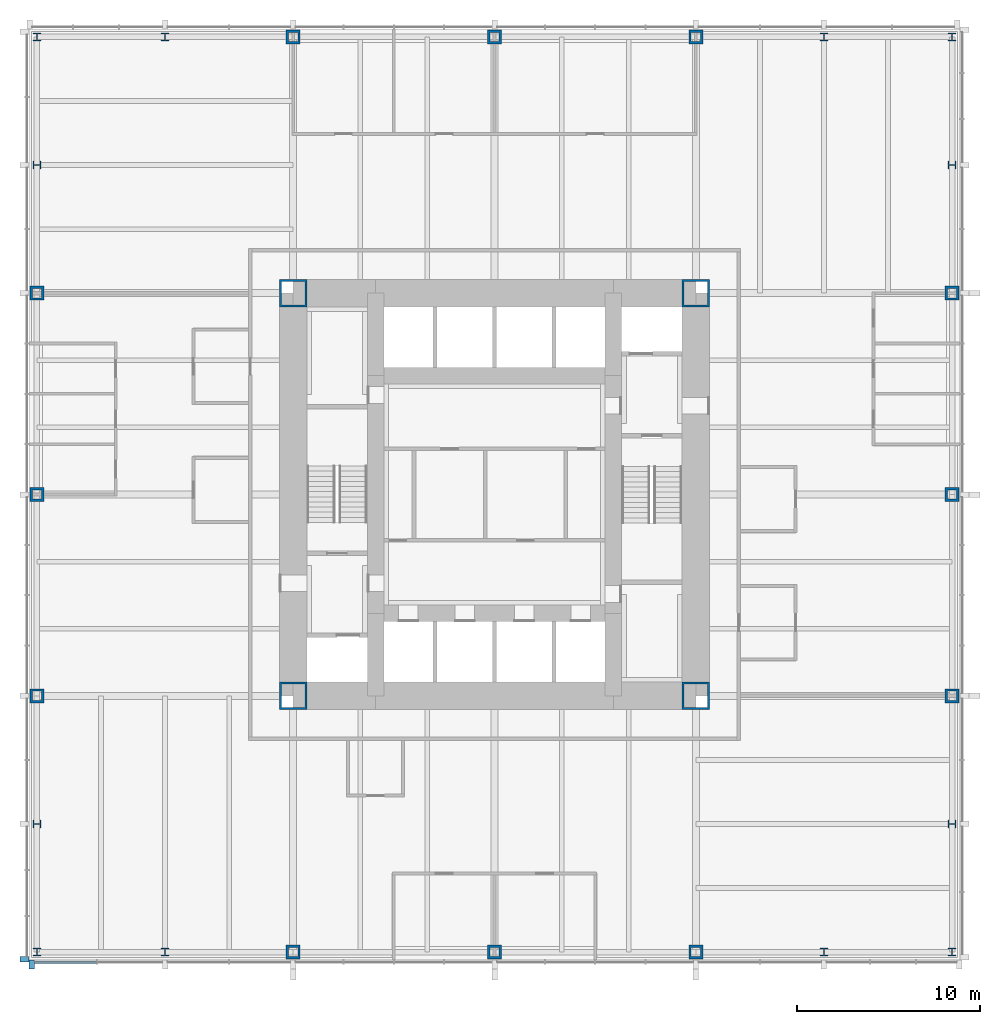
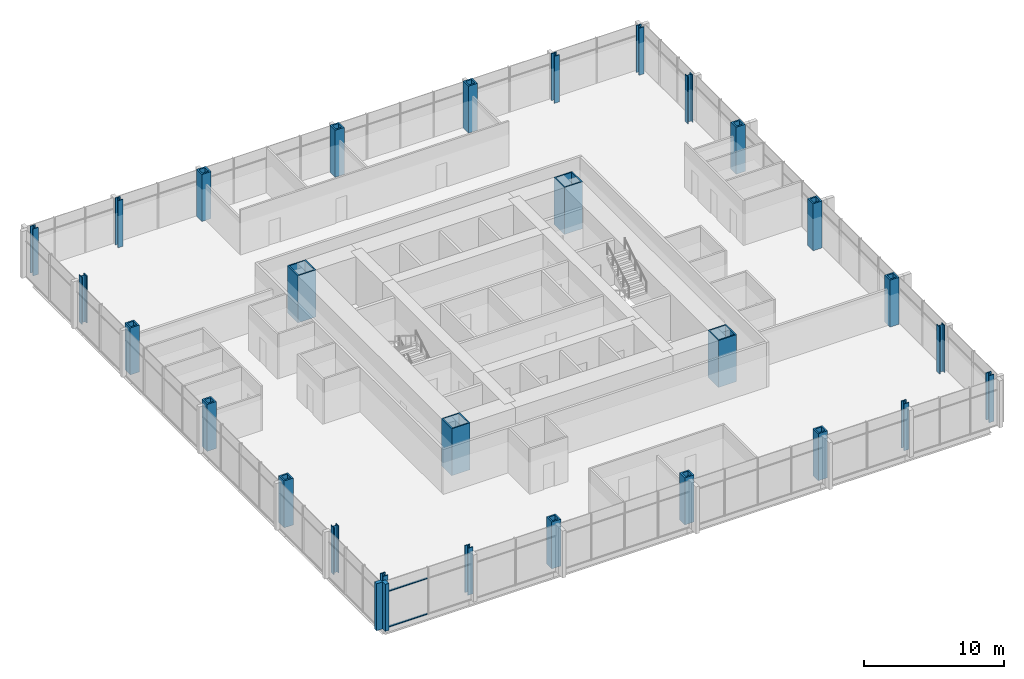
# One storey, part 1 of 12: 28 columns, 4 members, 2 elements without a shape of their own.
"""IFC4 building model written with IfcOpenShell, lengths in metres."""

from ifc_helpers import new_model, si_unit, direction, frame, origin, origin_2d, place, context, subcontext, project, spatial, rectangle, hollow_rectangle, i_section, extrude, material, material_profile, profile_set, type_object, element, aggregate, save


model = new_model("IFC4")

# Units and contexts
model_context = context("Model", 3, precision=1e-05, world=origin(), true_north=direction((0.0, 1.0)))
body_context = subcontext(model_context, "Body", "Model", "MODEL_VIEW")
ifc_project = project(units=[si_unit("LENGTHUNIT", "METRE"), si_unit("AREAUNIT", "SQUARE_METRE"), si_unit("VOLUMEUNIT", "CUBIC_METRE"), si_unit("PLANEANGLEUNIT", "RADIAN"), si_unit("MASSUNIT", "GRAM", prefix="KILO")], contexts=[model_context])

# Site, building, storey
site_placement = place(None, origin())
site = spatial("IfcSite", under=ifc_project, at=site_placement, CompositionType="ELEMENT")
building_placement = place(site_placement, origin())
building = spatial("IfcBuilding", under=site, at=building_placement, Name="Trevanion Tower", CompositionType="ELEMENT")
storey_placement = place(building_placement, frame((0.0, 0.0, 65.199951171875)))
storey = spatial("IfcBuildingStorey", under=building, at=storey_placement, Name="L15", CompositionType="ELEMENT", Elevation=65.199951171875)

# Columns
ifc_material_1 = material(Name="Steel ASTM A588 Grade 50", Category="steel")
ifc_material_profile_1 = material_profile(ifc_material_1, hollow_rectangle(XDim=0.761962890625, YDim=0.761962890625, WallThickness=0.126953125, at=origin_2d()), Name="BOX30X30X5")
ifc_profile_set_1 = profile_set([ifc_material_profile_1], Name="Steel ASTM A588 Grade 50")
column_type_1 = type_object("IfcColumnType", Name="C1 BOX30X30X5", PredefinedType="COLUMN", material=ifc_profile_set_1)
for number, where, z_axis, x_axis, name in (
    (1, (-25.0, 0.0, 0.0), (0.0, 0.0, 1.0), (0.0, 1.0, 0.0), "C1 3/H L15"),
    (2, (-25.0, -11.0, 0.0), (0.0, 0.0, 1.0), (0.0, 1.0, 0.0), "C1 3/F L15"),
    (3, (-11.0, -25.0, 0.0), (0.0, 0.0, 1.0), (1.0, 0.0, 0.0), "C1 8/A L15"),
    (4, (0.0, -25.0, 0.0), (0.0, 0.0, 1.0), (1.0, 0.0, 0.0), "C1 10/A L15"),
    (5, (11.0, -25.0, 0.0), (0.0, 0.0, 1.0), (1.0, 0.0, 0.0), "C1 12/A L15"),
    (6, (25.0, -11.0, 0.0), (0.0, 0.0, 1.0), (0.0, 1.0, 0.0), "C1 17/F L15"),
    (7, (25.0, 0.0, 0.0), (0.0, 0.0, 1.0), (0.0, 1.0, 0.0), "C1 17/H L15"),
    (8, (25.0, 11.0, 0.0), (0.0, 0.0, 1.0), (0.0, 1.0, 0.0), "C1 17/K L15"),
    (9, (11.0, 25.0, 0.0), (0.0, 0.0, 1.0), (1.0, 0.0, 0.0), "C1 12/Q L15"),
    (10, (0.0, 25.0, 0.0), (0.0, 0.0, 1.0), (1.0, 0.0, 0.0), "C1 10/Q L15"),
    (11, (-11.0, 25.0, 0.0), (0.0, 0.0, 1.0), (1.0, 0.0, 0.0), "C1 8/Q L15"),
    (12, (-25.0, 11.0, 0.0), (0.0, 0.0, 1.0), (0.0, 1.0, 0.0), "C1 3/K L15"),
):
    element("IfcColumn", number, at=place(storey_placement, frame(where, z_axis=z_axis, x_axis=x_axis)), inside=storey, type_object=column_type_1, Name=name, PredefinedType="COLUMN", context=body_context, shape_type="SweptSolid", body=[
        extrude(hollow_rectangle(XDim=0.761962890625, YDim=0.761962890625, WallThickness=0.126953125, at=origin_2d()), origin(), (0.0, 0.0, 1.0), 4.10009765625),
    ])
ifc_material_2 = material(Name="Steel ASTM A913 Grade 65", Category="steel")
ifc_material_profile_2 = material_profile(ifc_material_2, i_section(OverallWidth=0.419189453125, OverallDepth=0.45458984375, WebThickness=0.042236328125, FlangeThickness=0.067626953125, at=origin_2d()), Name="W14X370")
ifc_profile_set_2 = profile_set([ifc_material_profile_2], Name="Steel ASTM A913 Grade 65")
column_type_2 = type_object("IfcColumnType", Name="C2 W14X370", PredefinedType="COLUMN", material=ifc_profile_set_2)
for number, where, z_axis, x_axis, name in (
    (13, (-25.0, -18.0, 0.0), (0.0, 0.0, 1.0), (0.0, 1.0, 0.0), "C2 3/D L15"),
    (14, (-25.0, -25.0, 0.0), (0.0, 0.0, 1.0), (1.0, 0.0, 0.0), "C2 3/A L15"),
    (15, (-18.0, -25.0, 0.0), (0.0, 0.0, 1.0), (1.0, 0.0, 0.0), "C2 6/A L15"),
    (16, (18.0, -25.0, 0.0), (0.0, 0.0, 1.0), (1.0, 0.0, 0.0), "C2 14/A L15"),
    (17, (25.0, -25.0, 0.0), (0.0, 0.0, 1.0), (1.0, 0.0, 0.0), "C2 17/A L15"),
    (18, (25.0, -18.0, 0.0), (0.0, 0.0, 1.0), (0.0, 1.0, 0.0), "C2 17/D L15"),
    (19, (25.0, 18.0, 0.0), (0.0, 0.0, 1.0), (0.0, 1.0, 0.0), "C2 17/M L15"),
    (20, (25.0, 25.0, 0.0), (0.0, 0.0, 1.0), (1.0, 0.0, 0.0), "C2 17/Q L15"),
    (21, (18.0, 25.0, 0.0), (0.0, 0.0, 1.0), (1.0, 0.0, 0.0), "C2 14/Q L15"),
    (22, (-18.0, 25.0, 0.0), (0.0, 0.0, 1.0), (1.0, 0.0, 0.0), "C2 6/Q L15"),
    (23, (-25.0, 25.0, 0.0), (0.0, 0.0, 1.0), (1.0, 0.0, 0.0), "C2 3/Q L15"),
    (24, (-25.0, 18.0, 0.0), (0.0, 0.0, 1.0), (0.0, 1.0, 0.0), "C2 3/M L15"),
):
    element("IfcColumn", number, at=place(storey_placement, frame(where, z_axis=z_axis, x_axis=x_axis)), inside=storey, type_object=column_type_2, Name=name, PredefinedType="COLUMN", context=body_context, shape_type="SweptSolid", body=[
        extrude(i_section(OverallWidth=0.419189453125, OverallDepth=0.45458984375, WebThickness=0.042236328125, FlangeThickness=0.067626953125, at=origin_2d()), origin(), (0.0, 0.0, 1.0), 4.10009765625),
    ])
ifc_material_3 = material(Name="Steel ASTM A572 Grade 50", Category="steel")
ifc_material_profile_3 = material_profile(ifc_material_3, hollow_rectangle(XDim=1.49853515625, YDim=1.49853515625, WallThickness=0.1015625, at=origin_2d()), Name="BOX59X59X4")
ifc_profile_set_3 = profile_set([ifc_material_profile_3], Name="Steel ASTM A572 Grade 50")
column_type_3 = type_object("IfcColumnType", Name="CB1 BOX59X59X4", PredefinedType="COLUMN", material=ifc_profile_set_3)
for number, where, z_axis, x_axis, name in (
    (25, (11.0, 11.0, 0.0), (0.0, 0.0, 1.0), (1.0, 0.0, 0.0), "CB1 NE L15"),
    (26, (-11.0, 11.0, 0.0), (0.0, 0.0, 1.0), (1.0, 0.0, 0.0), "CB1 NW L15"),
    (27, (-11.0, -11.0, 0.0), (0.0, 0.0, 1.0), (1.0, 0.0, 0.0), "CB1 SW L15"),
    (28, (11.0, -11.0, 0.0), (0.0, 0.0, 1.0), (1.0, 0.0, 0.0), "CB1 SE L15"),
):
    element("IfcColumn", number, at=place(storey_placement, frame(where, z_axis=z_axis, x_axis=x_axis)), inside=storey, type_object=column_type_3, Name=name, PredefinedType="COLUMN", context=body_context, shape_type="SweptSolid", body=[
        extrude(hollow_rectangle(XDim=1.49853515625, YDim=1.49853515625, WallThickness=0.1015625, at=origin_2d()), origin(), (0.0, 0.0, 1.0), 4.10009765625),
    ])

# Curtain wall, member
ifc_material_4 = material(Name="Aluminium and glass", Category="aluminium")
curtain_wall_type = type_object("IfcCurtainWallType", Name="CW1 curtain wall", PredefinedType="USERDEFINED", material=ifc_material_4)
curtain_wall_1_placement = place(storey_placement, origin())
curtain_wall_1 = element("IfcCurtainWall", 29, at=curtain_wall_1_placement, inside=storey, type_object=curtain_wall_type, Name="CW1 L15 2", ObjectType="UNITISED CURTAIN WALL", PredefinedType="USERDEFINED")
ifc_material_5 = material(Name="Aluminium extrusion, anodised bronze", Category="aluminium")
ifc_material_profile_4 = material_profile(ifc_material_5, rectangle(XDim=0.300048828125, YDim=0.5, at=origin_2d()), Name="CW1 pier mullion")
ifc_profile_set_4 = profile_set([ifc_material_profile_4], Name="Aluminium extrusion, anodised bronze")
member_type_1 = type_object("IfcMemberType", Name="CW1 pier mullion", PredefinedType="MULLION", material=ifc_profile_set_4)
member_1_placement = place(storey_placement, frame((-25.675048828125, -25.39990234375, -0.18994140625), z_axis=(0.0, 0.0, 1.0), x_axis=(0.0, -1.0, 0.0)))
member_1 = element("IfcMember", 30, at=member_1_placement, type_object=member_type_1, Name="CW1 pier mullion 18", PredefinedType="MULLION", context=body_context, shape_type="SweptSolid", body=[
    extrude(rectangle(XDim=0.300048828125, YDim=0.5, at=origin_2d()), origin(), (0.0, 0.0, 1.0), 4.10009765625),
])
aggregate(curtain_wall_1, [member_1])

# Curtain wall, members
curtain_wall_2_placement = place(storey_placement, origin())
curtain_wall_2 = element("IfcCurtainWall", 31, at=curtain_wall_2_placement, inside=storey, type_object=curtain_wall_type, Name="CW1 L15 3", ObjectType="UNITISED CURTAIN WALL", PredefinedType="USERDEFINED")
member_2_placement = place(storey_placement, frame((-25.27001953125, -25.675048828125, -0.18994140625), z_axis=(0.0, 0.0, 1.0), x_axis=(1.0, 0.0, 0.0)))
member_2 = element("IfcMember", 32, at=member_2_placement, type_object=member_type_1, Name="CW1 pier mullion 1", PredefinedType="MULLION", context=body_context, shape_type="SweptSolid", body=[
    extrude(rectangle(XDim=0.300048828125, YDim=0.5, at=origin_2d()), origin(), (0.0, 0.0, 1.0), 4.10009765625),
])
ifc_material_6 = material(Name="Aluminium extrusion, anodised bronze", Category="aluminium")
ifc_material_profile_5 = material_profile(ifc_material_6, rectangle(XDim=0.14990234375, YDim=0.074951171875, at=origin_2d()), Name="CW1 transom")
ifc_profile_set_5 = profile_set([ifc_material_profile_5], Name="Aluminium extrusion, anodised bronze")
member_type_2 = type_object("IfcMemberType", Name="CW1 transom", PredefinedType="USERDEFINED", material=ifc_profile_set_5)
member_3_placement = place(storey_placement, frame((-25.1201171875, -25.550048828125, -0.15234375), z_axis=(1.0, 0.0, 0.0), x_axis=(0.0, 1.0, 0.0)))
member_3 = element("IfcMember", 33, at=member_3_placement, type_object=member_type_2, Name="CW1 transom 1.1", ObjectType="TRANSOM", PredefinedType="USERDEFINED", context=body_context, shape_type="SweptSolid", body=[
    extrude(rectangle(XDim=0.14990234375, YDim=0.074951171875, at=origin_2d()), origin(), (0.0, 0.0, 1.0), 3.37255859375),
])
member_4_placement = place(storey_placement, frame((-25.1201171875, -25.550048828125, 2.9599609375), z_axis=(1.0, 0.0, 0.0), x_axis=(0.0, 1.0, 0.0)))
member_4 = element("IfcMember", 34, at=member_4_placement, type_object=member_type_2, Name="CW1 transom 1.2", ObjectType="TRANSOM", PredefinedType="USERDEFINED", context=body_context, shape_type="SweptSolid", body=[
    extrude(rectangle(XDim=0.14990234375, YDim=0.074951171875, at=origin_2d()), origin(), (0.0, 0.0, 1.0), 3.37255859375),
])
aggregate(curtain_wall_2, [member_2, member_3, member_4])

save(model, "model.ifc")
